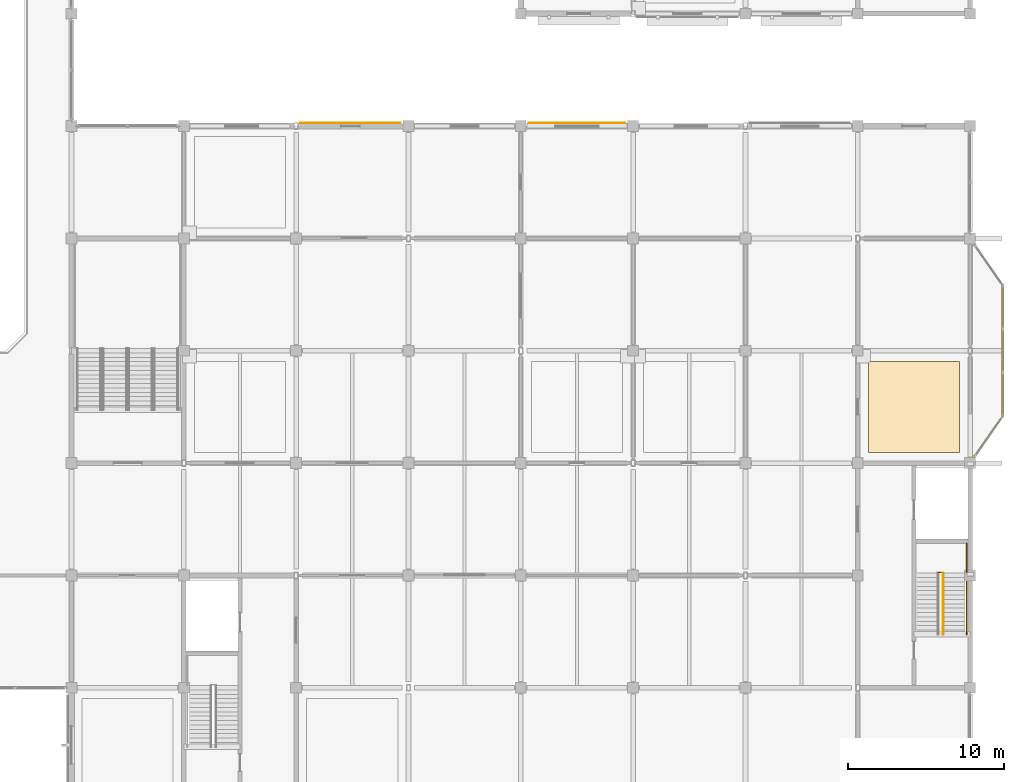
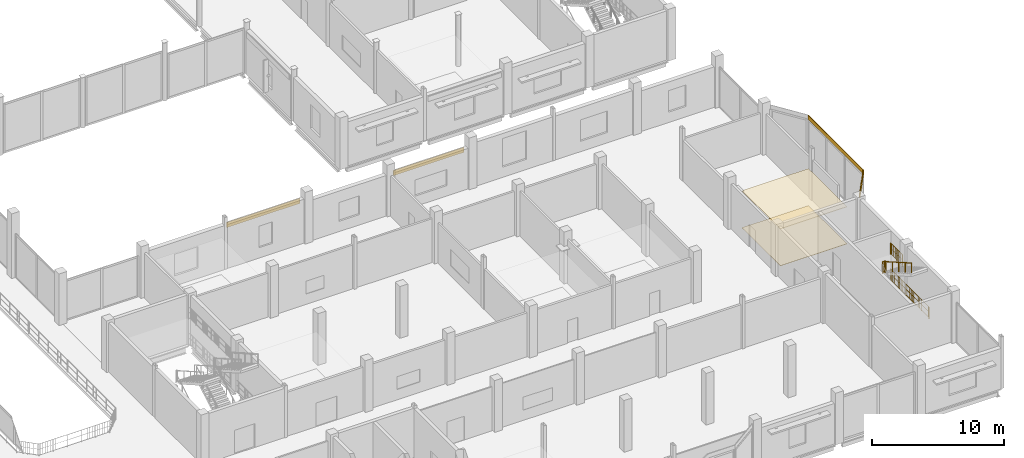
# One storey, part 116 of 120: 6 coverings, 4 railings.
"""IFC4 building model written with IfcOpenShell, lengths in metres."""

from ifc_helpers import new_model, si_unit, direction, frame, frame_2d, origin, origin_2d, place, context, subcontext, project, spatial, polyline, rectangle, circle, outline, extrude, material, layer, layer_set, type_object, element, save


model = new_model("IFC4")

# Units and contexts
model_context = context("Model", 3, precision=1e-05, world=origin(), true_north=direction((0.0, 1.0)))
body_context = subcontext(model_context, "Body", "Model", "MODEL_VIEW")
ifc_project = project(units=[si_unit("LENGTHUNIT", "METRE"), si_unit("AREAUNIT", "SQUARE_METRE"), si_unit("VOLUMEUNIT", "CUBIC_METRE"), si_unit("PLANEANGLEUNIT", "RADIAN"), si_unit("MASSUNIT", "GRAM", prefix="KILO")], contexts=[model_context])

# Site, building, storey
site_placement = place(None, origin())
site = spatial("IfcSite", under=ifc_project, at=site_placement, CompositionType="ELEMENT")
building_placement = place(site_placement, origin())
building = spatial("IfcBuilding", under=site, at=building_placement, Name="Vesperath Aquatics Centre", CompositionType="ELEMENT")
storey_placement = place(building_placement, frame((0.0, 0.0, 10.199951171875)))
storey = spatial("IfcBuildingStorey", under=building, at=storey_placement, Name="L02", CompositionType="ELEMENT", Elevation=10.199951171875)

# Coverings
ifc_material_1 = material(Name="Teal and ochre glazed ceramic majolica frieze", Category="ceramic")
ifc_layer_1 = layer(ifc_material_1, 0.0400390625)
ifc_layer_set_1 = layer_set([ifc_layer_1], Name="Teal and ochre glazed ceramic majolica frieze")
covering_type_1 = type_object("IfcCoveringType", Name="CV-CLD01", PredefinedType="CLADDING", material=ifc_layer_set_1)
covering_1_placement = place(storey_placement, frame((129.875, 43.39990234375, 3.52197265625), z_axis=(0.0, 0.0, 1.0), x_axis=(1.0, 0.0, 0.0)))
element("IfcCovering", 1, at=covering_1_placement, inside=storey, type_object=covering_type_1, Name="Majolica Ceramic Frieze CLD1 L02_N_18_06", PredefinedType="CLADDING", context=body_context, shape_type="SweptSolid", body=[
    extrude(rectangle(XDim=6.425048828125, YDim=0.0400390625, at=frame_2d((3.21240234375, 0.0))), origin(), (0.0, 0.0, 1.0), 0.469970703125),
])
covering_2_placement = place(storey_placement, frame((144.5, 43.409912109375, 3.2099609375), z_axis=(0.0, 0.0, 1.0), x_axis=(1.0, 0.0, 0.0)))
element("IfcCovering", 2, at=covering_2_placement, inside=storey, type_object=covering_type_1, Name="Majolica Ceramic Frieze CLD1 L02_N_20_06", PredefinedType="CLADDING", context=body_context, shape_type="SweptSolid", body=[
    extrude(rectangle(XDim=6.199951171875, YDim=0.0400390625, at=frame_2d((3.10009765625, 0.0))), origin(), (0.0, 0.0, 1.0), 0.469970703125),
])
covering_3_placement = place(storey_placement, frame((173.10107421875, 22.030029296875, 4.14013671875), z_axis=(0.0, 0.0, 1.0), x_axis=(0.57341533497, 0.819264825085, 0.0)))
element("IfcCovering", 3, at=covering_3_placement, inside=storey, type_object=covering_type_1, Name="East Bow Oriel Majolica Frieze CLD1 L02-S", PredefinedType="CLADDING", context=body_context, shape_type="SweptSolid", body=[
    extrude(rectangle(XDim=3.136962890625, YDim=0.050048828125, at=frame_2d((1.568359375, 0.0))), origin(), (0.0, 0.0, 1.0), 0.3798828125),
])
covering_4_placement = place(storey_placement, frame((174.89990234375, 24.60009765625, 4.14013671875), z_axis=(0.0, 0.0, 1.0), x_axis=(0.0, 1.0, 0.0)))
element("IfcCovering", 4, at=covering_4_placement, inside=storey, type_object=covering_type_1, Name="East Bow Oriel Majolica Frieze CLD1 L02-C", PredefinedType="CLADDING", context=body_context, shape_type="SweptSolid", body=[
    extrude(rectangle(XDim=8.39990234375, YDim=0.050048828125, at=frame_2d((4.199951171875, 0.0))), origin(), (0.0, 0.0, 1.0), 0.3798828125),
])
ifc_material_2 = material(Name="Perforated moisture-resistant acoustic mineral-fibre ceiling", Category="gypsum")
ifc_layer_2 = layer(ifc_material_2, 0.044921875)
ifc_layer_set_2 = layer_set([ifc_layer_2], Name="Perforated moisture-resistant acoustic mineral-fibre ceiling")
covering_type_2 = type_object("IfcCoveringType", Name="CV-CLG01", PredefinedType="CEILING", material=ifc_layer_set_2)
covering_5_placement = place(storey_placement, frame((0.0, 0.0, 3.425048828125)))
element("IfcCovering", 5, at=covering_5_placement, inside=storey, type_object=covering_type_2, Name="Acoustic Suspended Ceiling CLG1 L02_AWC", PredefinedType="CEILING", context=body_context, shape_type="SweptSolid", body=[
    extrude(outline(polyline([(166.280029296875, 22.280029296875), (172.1201171875, 22.280029296875), (172.1201171875, 28.1201171875), (166.280029296875, 28.1201171875), (166.280029296875, 22.280029296875)])), origin(), (0.0, 0.0, 1.0), 0.044921875),
])
ifc_material_3 = material(Name="Slip-resistant vitrified ceramic and terrazzo flooring", Category="ceramic")
ifc_layer_3 = layer(ifc_material_3, 0.030029296875)
ifc_layer_set_3 = layer_set([ifc_layer_3], Name="Slip-resistant vitrified ceramic and terrazzo flooring")
covering_type_3 = type_object("IfcCoveringType", Name="CV-FLR01", PredefinedType="FLOORING", material=ifc_layer_set_3)
covering_6_placement = place(storey_placement, origin())
element("IfcCovering", 6, at=covering_6_placement, inside=storey, type_object=covering_type_3, Name="Slip-Resistant Floor Finish FLR1 L02_AWC", PredefinedType="FLOORING", context=body_context, shape_type="SweptSolid", body=[
    extrude(outline(polyline([(166.280029296875, 22.280029296875), (172.1201171875, 22.280029296875), (172.1201171875, 28.1201171875), (166.280029296875, 28.1201171875), (166.280029296875, 22.280029296875)])), origin(), (0.0, 0.0, 1.0), 0.030029296875),
])

# Railings
ifc_material_4 = material(Name="Powder-coated galvanized steel safety guard", Category="steel")
railing_type_1 = type_object("IfcRailingType", Name="RL-GRD01", PredefinedType="GUARDRAIL", material=ifc_material_4)
railing_1_placement = place(storey_placement, frame((170.780029296875, 14.580078125, 2.400146484375)))
element("IfcRailing", 7, at=railing_1_placement, inside=storey, type_object=railing_type_1, Name="Stair ST6 Half-Landing Slot Guard GR02 L02", PredefinedType="GUARDRAIL", context=body_context, shape_type="SweptSolid", body=[
    extrude(circle(Radius=0.02392578125, at=origin_2d()), frame((0.0, 0.0, 1.0859375), z_axis=(1.0, 0.0, 0.0), x_axis=(0.0, 1.0, 0.0)), (0.0, 0.0, 1.0), 0.260009765625),
    extrude(circle(Radius=0.01611328125, at=origin_2d()), frame((0.0, 0.0, 0.10009765625), z_axis=(1.0, 0.0, 0.0), x_axis=(0.0, 1.0, 0.0)), (0.0, 0.0, 1.0), 0.260009765625),
    extrude(circle(Radius=0.01611328125, at=origin_2d()), frame((0.0, 0.0, 0.610595703125), z_axis=(1.0, 0.0, 0.0), x_axis=(0.0, 1.0, 0.0)), (0.0, 0.0, 1.0), 0.260009765625),
    extrude(circle(Radius=0.009033203125, at=origin_2d()), frame((0.086669921875, 0.0, 0.10009765625)), (0.0, 0.0, 1.0), 0.9619140625),
    extrude(circle(Radius=0.009033203125, at=origin_2d()), frame((0.17333984375, 0.0, 0.10009765625)), (0.0, 0.0, 1.0), 0.9619140625),
    extrude(circle(Radius=0.02197265625, at=origin_2d()), origin(), (0.0, 0.0, 1.0), 1.0859375),
    extrude(circle(Radius=0.02197265625, at=origin_2d()), frame((0.260009765625, 0.0, 0.0)), (0.0, 0.0, 1.0), 1.0859375),
])
railing_2_placement = place(storey_placement, frame((172.580078125, 14.580078125, 2.400146484375)))
element("IfcRailing", 8, at=railing_2_placement, inside=storey, type_object=railing_type_1, Name="Stair ST6 Half-Landing Wall Guard GR02 L02", PredefinedType="GUARDRAIL", context=body_context, shape_type="SweptSolid", body=[
    extrude(circle(Radius=0.02392578125, at=origin_2d()), frame((0.0, 0.0, 1.0859375), z_axis=(0.0, 1.0, 0.0), x_axis=(-1.0, 0.0, 0.0)), (0.0, 0.0, 1.0), 1.8798828125),
    extrude(circle(Radius=0.01611328125, at=origin_2d()), frame((0.0, 0.0, 0.10009765625), z_axis=(0.0, 1.0, 0.0), x_axis=(-1.0, 0.0, 0.0)), (0.0, 0.0, 1.0), 1.8798828125),
    extrude(circle(Radius=0.01611328125, at=origin_2d()), frame((0.0, 0.0, 0.610595703125), z_axis=(0.0, 1.0, 0.0), x_axis=(-1.0, 0.0, 0.0)), (0.0, 0.0, 1.0), 1.8798828125),
    extrude(circle(Radius=0.009033203125, at=origin_2d()), frame((0.0, 0.1044921875, 0.10009765625)), (0.0, 0.0, 1.0), 0.9619140625),
    extrude(circle(Radius=0.009033203125, at=origin_2d()), frame((0.0, 0.208984375, 0.10009765625)), (0.0, 0.0, 1.0), 0.9619140625),
    extrude(circle(Radius=0.009033203125, at=origin_2d()), frame((0.0, 0.313232421875, 0.10009765625)), (0.0, 0.0, 1.0), 0.9619140625),
    extrude(circle(Radius=0.009033203125, at=origin_2d()), frame((0.0, 0.417724609375, 0.10009765625)), (0.0, 0.0, 1.0), 0.9619140625),
    extrude(circle(Radius=0.009033203125, at=origin_2d()), frame((0.0, 0.522216796875, 0.10009765625)), (0.0, 0.0, 1.0), 0.9619140625),
    extrude(circle(Radius=0.009033203125, at=origin_2d()), frame((0.0, 0.626708984375, 0.10009765625)), (0.0, 0.0, 1.0), 0.9619140625),
    extrude(circle(Radius=0.009033203125, at=origin_2d()), frame((0.0, 0.73095703125, 0.10009765625)), (0.0, 0.0, 1.0), 0.9619140625),
    extrude(circle(Radius=0.009033203125, at=origin_2d()), frame((0.0, 0.83544921875, 0.10009765625)), (0.0, 0.0, 1.0), 0.9619140625),
    extrude(circle(Radius=0.009033203125, at=origin_2d()), frame((0.0, 0.93994140625, 0.10009765625)), (0.0, 0.0, 1.0), 0.9619140625),
    extrude(circle(Radius=0.009033203125, at=origin_2d()), frame((0.0, 1.04443359375, 0.10009765625)), (0.0, 0.0, 1.0), 0.9619140625),
    extrude(circle(Radius=0.009033203125, at=origin_2d()), frame((0.0, 1.14892578125, 0.10009765625)), (0.0, 0.0, 1.0), 0.9619140625),
    extrude(circle(Radius=0.009033203125, at=origin_2d()), frame((0.0, 1.253173828125, 0.10009765625)), (0.0, 0.0, 1.0), 0.9619140625),
    extrude(circle(Radius=0.009033203125, at=origin_2d()), frame((0.0, 1.357666015625, 0.10009765625)), (0.0, 0.0, 1.0), 0.9619140625),
    extrude(circle(Radius=0.009033203125, at=origin_2d()), frame((0.0, 1.462158203125, 0.10009765625)), (0.0, 0.0, 1.0), 0.9619140625),
    extrude(circle(Radius=0.009033203125, at=origin_2d()), frame((0.0, 1.566650390625, 0.10009765625)), (0.0, 0.0, 1.0), 0.9619140625),
    extrude(circle(Radius=0.009033203125, at=origin_2d()), frame((0.0, 1.6708984375, 0.10009765625)), (0.0, 0.0, 1.0), 0.9619140625),
    extrude(circle(Radius=0.009033203125, at=origin_2d()), frame((0.0, 1.775390625, 0.10009765625)), (0.0, 0.0, 1.0), 0.9619140625),
    extrude(circle(Radius=0.02197265625, at=origin_2d()), origin(), (0.0, 0.0, 1.0), 1.0859375),
    extrude(circle(Radius=0.02197265625, at=origin_2d()), frame((0.0, 0.93994140625, 0.0)), (0.0, 0.0, 1.0), 1.0859375),
    extrude(circle(Radius=0.02197265625, at=origin_2d()), frame((0.0, 1.8798828125, 0.0)), (0.0, 0.0, 1.0), 1.0859375),
])
railing_3_placement = place(storey_placement, frame((172.580078125, 10.60009765625, 0.0)))
element("IfcRailing", 9, at=railing_3_placement, inside=storey, type_object=railing_type_1, Name="Stair ST6 Shaft Side Guard GR02 L02", PredefinedType="GUARDRAIL", context=body_context, shape_type="SweptSolid", body=[
    extrude(circle(Radius=0.02392578125, at=origin_2d()), frame((0.0, 0.0, 1.0859375), z_axis=(0.0, 1.0, 0.0), x_axis=(-1.0, 0.0, 0.0)), (0.0, 0.0, 1.0), 5.83984375),
    extrude(circle(Radius=0.01611328125, at=origin_2d()), frame((0.0, 0.0, 0.10009765625), z_axis=(0.0, 1.0, 0.0), x_axis=(-1.0, 0.0, 0.0)), (0.0, 0.0, 1.0), 5.83984375),
    extrude(circle(Radius=0.01611328125, at=origin_2d()), frame((0.0, 0.0, 0.610595703125), z_axis=(0.0, 1.0, 0.0), x_axis=(-1.0, 0.0, 0.0)), (0.0, 0.0, 1.0), 5.83984375),
    extrude(circle(Radius=0.009033203125, at=origin_2d()), frame((0.0, 0.108154296875, 0.10009765625)), (0.0, 0.0, 1.0), 0.9619140625),
    extrude(circle(Radius=0.009033203125, at=origin_2d()), frame((0.0, 0.324462890625, 0.10009765625)), (0.0, 0.0, 1.0), 0.9619140625),
    extrude(circle(Radius=0.009033203125, at=origin_2d()), frame((0.0, 0.540771484375, 0.10009765625)), (0.0, 0.0, 1.0), 0.9619140625),
    extrude(circle(Radius=0.009033203125, at=origin_2d()), frame((0.0, 0.757080078125, 0.10009765625)), (0.0, 0.0, 1.0), 0.9619140625),
    extrude(circle(Radius=0.009033203125, at=origin_2d()), frame((0.0, 0.973388671875, 0.10009765625)), (0.0, 0.0, 1.0), 0.9619140625),
    extrude(circle(Radius=0.009033203125, at=origin_2d()), frame((0.0, 1.189697265625, 0.10009765625)), (0.0, 0.0, 1.0), 0.9619140625),
    extrude(circle(Radius=0.009033203125, at=origin_2d()), frame((0.0, 1.406005859375, 0.10009765625)), (0.0, 0.0, 1.0), 0.9619140625),
    extrude(circle(Radius=0.009033203125, at=origin_2d()), frame((0.0, 1.6220703125, 0.10009765625)), (0.0, 0.0, 1.0), 0.9619140625),
    extrude(circle(Radius=0.009033203125, at=origin_2d()), frame((0.0, 1.83837890625, 0.10009765625)), (0.0, 0.0, 1.0), 0.9619140625),
    extrude(circle(Radius=0.009033203125, at=origin_2d()), frame((0.0, 2.0546875, 0.10009765625)), (0.0, 0.0, 1.0), 0.9619140625),
    extrude(circle(Radius=0.009033203125, at=origin_2d()), frame((0.0, 2.27099609375, 0.10009765625)), (0.0, 0.0, 1.0), 0.9619140625),
    extrude(circle(Radius=0.009033203125, at=origin_2d()), frame((0.0, 2.4873046875, 0.10009765625)), (0.0, 0.0, 1.0), 0.9619140625),
    extrude(circle(Radius=0.009033203125, at=origin_2d()), frame((0.0, 2.70361328125, 0.10009765625)), (0.0, 0.0, 1.0), 0.9619140625),
    extrude(circle(Radius=0.009033203125, at=origin_2d()), frame((0.0, 2.919921875, 0.10009765625)), (0.0, 0.0, 1.0), 0.9619140625),
    extrude(circle(Radius=0.009033203125, at=origin_2d()), frame((0.0, 3.13623046875, 0.10009765625)), (0.0, 0.0, 1.0), 0.9619140625),
    extrude(circle(Radius=0.009033203125, at=origin_2d()), frame((0.0, 3.3525390625, 0.10009765625)), (0.0, 0.0, 1.0), 0.9619140625),
    extrude(circle(Radius=0.009033203125, at=origin_2d()), frame((0.0, 3.56884765625, 0.10009765625)), (0.0, 0.0, 1.0), 0.9619140625),
    extrude(circle(Radius=0.009033203125, at=origin_2d()), frame((0.0, 3.78515625, 0.10009765625)), (0.0, 0.0, 1.0), 0.9619140625),
    extrude(circle(Radius=0.009033203125, at=origin_2d()), frame((0.0, 4.00146484375, 0.10009765625)), (0.0, 0.0, 1.0), 0.9619140625),
    extrude(circle(Radius=0.009033203125, at=origin_2d()), frame((0.0, 4.2177734375, 0.10009765625)), (0.0, 0.0, 1.0), 0.9619140625),
    extrude(circle(Radius=0.009033203125, at=origin_2d()), frame((0.0, 4.433837890625, 0.10009765625)), (0.0, 0.0, 1.0), 0.9619140625),
    extrude(circle(Radius=0.009033203125, at=origin_2d()), frame((0.0, 4.650146484375, 0.10009765625)), (0.0, 0.0, 1.0), 0.9619140625),
    extrude(circle(Radius=0.009033203125, at=origin_2d()), frame((0.0, 4.866455078125, 0.10009765625)), (0.0, 0.0, 1.0), 0.9619140625),
    extrude(circle(Radius=0.009033203125, at=origin_2d()), frame((0.0, 5.082763671875, 0.10009765625)), (0.0, 0.0, 1.0), 0.9619140625),
    extrude(circle(Radius=0.009033203125, at=origin_2d()), frame((0.0, 5.299072265625, 0.10009765625)), (0.0, 0.0, 1.0), 0.9619140625),
    extrude(circle(Radius=0.009033203125, at=origin_2d()), frame((0.0, 5.515380859375, 0.10009765625)), (0.0, 0.0, 1.0), 0.9619140625),
    extrude(circle(Radius=0.009033203125, at=origin_2d()), frame((0.0, 5.731689453125, 0.10009765625)), (0.0, 0.0, 1.0), 0.9619140625),
    extrude(circle(Radius=0.02197265625, at=origin_2d()), origin(), (0.0, 0.0, 1.0), 1.0859375),
    extrude(circle(Radius=0.02197265625, at=origin_2d()), frame((0.0, 1.16796875, 0.0)), (0.0, 0.0, 1.0), 1.0859375),
    extrude(circle(Radius=0.02197265625, at=origin_2d()), frame((0.0, 2.3359375, 0.0)), (0.0, 0.0, 1.0), 1.0859375),
    extrude(circle(Radius=0.02197265625, at=origin_2d()), frame((0.0, 3.50390625, 0.0)), (0.0, 0.0, 1.0), 1.0859375),
    extrude(circle(Radius=0.02197265625, at=origin_2d()), frame((0.0, 4.671875, 0.0)), (0.0, 0.0, 1.0), 1.0859375),
    extrude(circle(Radius=0.02197265625, at=origin_2d()), frame((0.0, 5.83984375, 0.0)), (0.0, 0.0, 1.0), 1.0859375),
])
ifc_material_5 = material(Name="Brushed stainless steel tubular handrail", Category="steel")
railing_type_2 = type_object("IfcRailingType", Name="RL-HND01", PredefinedType="HANDRAIL", material=ifc_material_5)
railing_4_placement = place(storey_placement, frame((171.070068359375, 14.5400390625, 2.56005859375)))
element("IfcRailing", 10, at=railing_4_placement, inside=storey, type_object=railing_type_2, Name="Stair ST6 Flight 2 Handrail HR01 L02", PredefinedType="HANDRAIL", context=body_context, shape_type="SweptSolid", body=[
    extrude(circle(Radius=0.02392578125, at=origin_2d()), frame((0.0, 0.0, 0.8759765625), z_axis=(0.0, -0.868239814368, 0.496144761885), x_axis=(1.0, 0.0, 0.0)), (0.0, 0.0, 1.0), 4.514892578125),
    extrude(circle(Radius=0.02197265625, at=origin_2d()), origin(), (0.0, 0.0, 1.0), 0.8759765625),
    extrude(circle(Radius=0.02197265625, at=origin_2d()), frame((0.0, -0.97998046875, 0.56005859375)), (0.0, 0.0, 1.0), 0.8759765625),
    extrude(circle(Radius=0.02197265625, at=origin_2d()), frame((0.0, -1.9599609375, 1.1201171875)), (0.0, 0.0, 1.0), 0.8759765625),
    extrude(circle(Radius=0.02197265625, at=origin_2d()), frame((0.0, -2.93994140625, 1.679931640625)), (0.0, 0.0, 1.0), 0.8759765625),
    extrude(circle(Radius=0.02197265625, at=origin_2d()), frame((0.0, -3.919921875, 2.239990234375)), (0.0, 0.0, 1.0), 0.8759765625),
])

save(model, "model.ifc")
